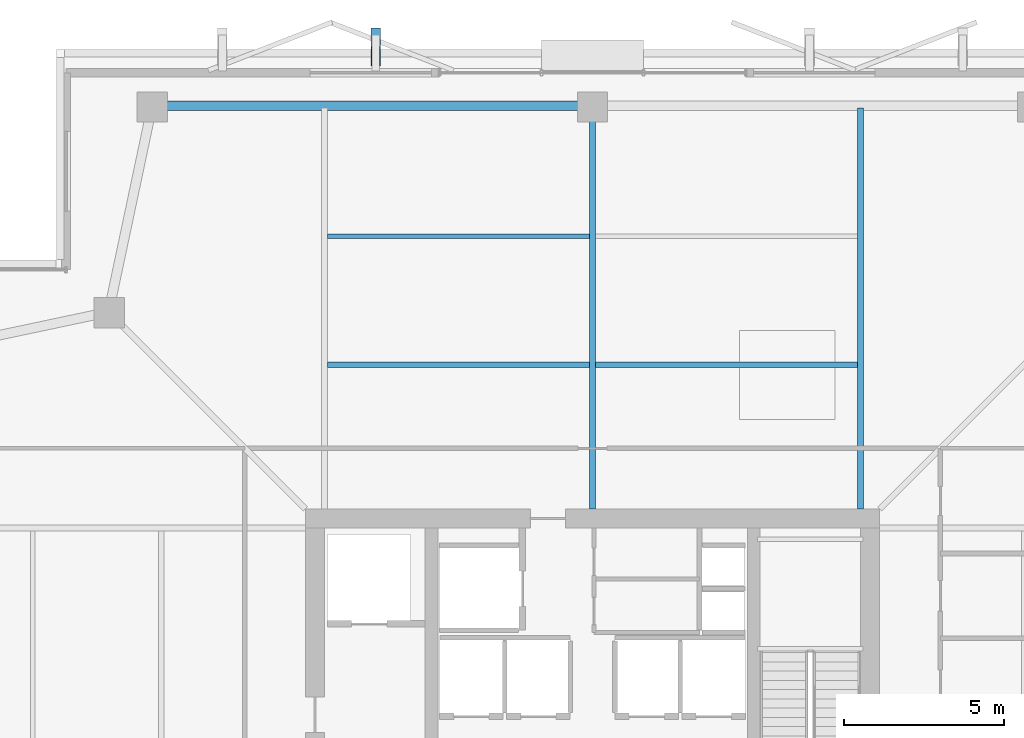
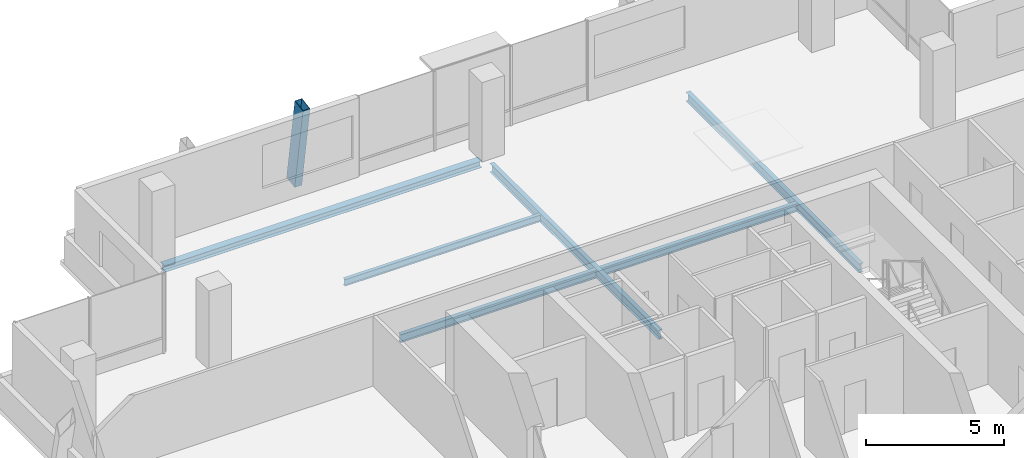
# One storey, part 15 of 26: 6 beams, 1 member.
"""IFC4 building model written with IfcOpenShell, lengths in metres."""

from ifc_helpers import new_model, si_unit, direction, frame, origin, origin_2d, place, context, subcontext, project, spatial, hollow_rectangle, i_section, extrude, material, material_profile, profile_set, type_object, element, save


model = new_model("IFC4")

# Units and contexts
model_context = context("Model", 3, precision=1e-05, world=origin(), true_north=direction((0.0, 1.0)))
body_context = subcontext(model_context, "Body", "Model", "MODEL_VIEW")
ifc_project = project(units=[si_unit("LENGTHUNIT", "METRE"), si_unit("AREAUNIT", "SQUARE_METRE"), si_unit("VOLUMEUNIT", "CUBIC_METRE"), si_unit("PLANEANGLEUNIT", "RADIAN"), si_unit("MASSUNIT", "GRAM", prefix="KILO")], contexts=[model_context])

# Site, building, storey
site_placement = place(None, origin())
site = spatial("IfcSite", under=ifc_project, at=site_placement, CompositionType="ELEMENT")
building_placement = place(site_placement, origin())
building = spatial("IfcBuilding", under=site, at=building_placement, Name="Belovzor Exchange Tower", CompositionType="ELEMENT")
storey_placement = place(building_placement, frame((0.0, 0.0, 295.5)))
storey = spatial("IfcBuildingStorey", under=building, at=storey_placement, Name="L73", CompositionType="ELEMENT", Elevation=295.5)

# Beams
ifc_material_1 = material(Name="Steel S355", Category="steel")
ifc_material_profile_1 = material_profile(ifc_material_1, i_section(OverallWidth=0.169921875, OverallDepth=0.360107421875, WebThickness=0.008056640625, FlangeThickness=0.0126953125, at=origin_2d()))
ifc_profile_set_1 = profile_set([ifc_material_profile_1], Name="Steel S355")
beam_type_1 = type_object("IfcBeamType", Name="Secondary Infill Floor Joist IPE 360", PredefinedType="BEAM", material=ifc_profile_set_1)
beam_1_placement = place(storey_placement, frame((20.489990234375, 42.322998046875, -0.419921875), z_axis=(1.0, 0.0, 0.0), x_axis=(0.0, 1.0, 0.0)))
element("IfcBeam", 1, at=beam_1_placement, inside=storey, type_object=beam_type_1, Name="FJ-360 Secondary Infill Floor Joist IPE 360", PredefinedType="BEAM", context=body_context, shape_type="SweptSolid", body=[
    extrude(i_section(OverallWidth=0.169921875, OverallDepth=0.360107421875, WebThickness=0.008056640625, FlangeThickness=0.0126953125, at=origin_2d()), origin(), (0.0, 0.0, 1.0), 8.219970703125),
])
beam_2_placement = place(storey_placement, frame((28.889892578125, 42.322998046875, -0.419921875), z_axis=(1.0, 0.0, 0.0), x_axis=(0.0, 1.0, 0.0)))
element("IfcBeam", 2, at=beam_2_placement, inside=storey, type_object=beam_type_1, Name="FJ-360 Secondary Infill Floor Joist IPE 360", PredefinedType="BEAM", context=body_context, shape_type="SweptSolid", body=[
    extrude(i_section(OverallWidth=0.169921875, OverallDepth=0.360107421875, WebThickness=0.008056640625, FlangeThickness=0.0126953125, at=origin_2d()), origin(), (0.0, 0.0, 1.0), 8.22021484375),
])
ifc_material_2 = material(Name="Steel S355", Category="steel")
ifc_material_profile_2 = material_profile(ifc_material_2, i_section(OverallWidth=0.14990234375, OverallDepth=0.300048828125, WebThickness=0.007080078125, FlangeThickness=0.0107421875, at=origin_2d()))
ifc_profile_set_2 = profile_set([ifc_material_profile_2], Name="Steel S355")
beam_type_2 = type_object("IfcBeamType", Name="Secondary Trim Floor Joist IPE 300", PredefinedType="BEAM", material=ifc_profile_set_2)
beam_3_placement = place(storey_placement, frame((20.489990234375, 46.343994140625, -0.389892578125), z_axis=(1.0, 0.0, 0.0), x_axis=(0.0, 1.0, 0.0)))
element("IfcBeam", 3, at=beam_3_placement, inside=storey, type_object=beam_type_2, Name="FJ-300 Secondary Trim Floor Joist IPE 300", PredefinedType="BEAM", context=body_context, shape_type="SweptSolid", body=[
    extrude(i_section(OverallWidth=0.14990234375, OverallDepth=0.300048828125, WebThickness=0.007080078125, FlangeThickness=0.0107421875, at=origin_2d()), origin(), (0.0, 0.0, 1.0), 8.219970703125),
])

# Member
ifc_material_3 = material(Name="Extruded Architectural Terracotta on Steel S355 Carrier", Category="masonry")
ifc_material_profile_3 = material_profile(ifc_material_3, hollow_rectangle(XDim=0.300048828125, YDim=0.60009765625, WallThickness=0.01611328125, at=origin_2d()))
ifc_profile_set_3 = profile_set([ifc_material_profile_3], Name="Extruded Architectural Terracotta on Steel S355 Carrier")
member_type = type_object("IfcMemberType", Name="Upper Crown Terracotta Fin Assembly 550", PredefinedType="USERDEFINED", material=ifc_profile_set_3)
member_placement = place(storey_placement, frame((22.0, 52.574951171875, -0.239990234375), z_axis=(0.0, -0.157952891656, 0.987446648694), x_axis=(1.0, 0.0, 0.0)))
element("IfcMember", 4, at=member_placement, inside=storey, type_object=member_type, Name="FIN-TC055 Terracotta Facade Fin L73 N2", ObjectType="FIN", PredefinedType="USERDEFINED", context=body_context, shape_type="SweptSolid", body=[
    extrude(hollow_rectangle(XDim=0.300048828125, YDim=0.60009765625, WallThickness=0.01611328125, at=origin_2d()), origin(), (0.0, 0.0, 1.0), 3.797607421875),
])

# Beams
ifc_material_4 = material(Name="Steel S355", Category="steel")
ifc_material_profile_4 = material_profile(ifc_material_4, i_section(OverallWidth=0.179931640625, OverallDepth=0.39990234375, WebThickness=0.008544921875, FlangeThickness=0.013427734375, at=origin_2d()))
ifc_profile_set_4 = profile_set([ifc_material_profile_4], Name="Steel S355")
beam_type_3 = type_object("IfcBeamType", Name="Zone 5-6 Radial Composite Floor Beam IPE 400", PredefinedType="BEAM", material=ifc_profile_set_4)
beam_4_placement = place(storey_placement, frame((28.800048828125, 37.800048828125, -0.43994140625), z_axis=(0.0, 1.0, 0.0), x_axis=(-1.0, 0.0, 0.0)))
element("IfcBeam", 5, at=beam_4_placement, inside=storey, type_object=beam_type_3, Name="FB-400 Zone 5-6 Radial Composite Floor Beam IPE 400", PredefinedType="BEAM", context=body_context, shape_type="SweptSolid", body=[
    extrude(i_section(OverallWidth=0.179931640625, OverallDepth=0.39990234375, WebThickness=0.008544921875, FlangeThickness=0.013427734375, at=origin_2d()), origin(), (0.0, 0.0, 1.0), 12.225830078125),
])
beam_5_placement = place(storey_placement, frame((37.199951171875, 37.800048828125, -0.43994140625), z_axis=(0.0, 1.0, 0.0), x_axis=(-1.0, 0.0, 0.0)))
element("IfcBeam", 6, at=beam_5_placement, inside=storey, type_object=beam_type_3, Name="FB-400 Zone 5-6 Radial Composite Floor Beam IPE 400", PredefinedType="BEAM", context=body_context, shape_type="SweptSolid", body=[
    extrude(i_section(OverallWidth=0.179931640625, OverallDepth=0.39990234375, WebThickness=0.008544921875, FlangeThickness=0.013427734375, at=origin_2d()), origin(), (0.0, 0.0, 1.0), 12.56396484375),
])
ifc_material_5 = material(Name="Steel S355", Category="steel")
ifc_material_profile_5 = material_profile(ifc_material_5, i_section(OverallWidth=0.300048828125, OverallDepth=0.300048828125, WebThickness=0.008544921875, FlangeThickness=0.013916015625, at=origin_2d()))
ifc_profile_set_5 = profile_set([ifc_material_profile_5], Name="Steel S355")
beam_type_4 = type_object("IfcBeamType", Name="Zone 6 Primary Girder HEA 300", PredefinedType="BEAM", material=ifc_profile_set_5)
beam_6_placement = place(storey_placement, frame((28.5390625, 50.43896484375, -0.389892578125), z_axis=(-1.0, 0.0, 0.0), x_axis=(0.0, -1.0, 0.0)))
element("IfcBeam", 7, at=beam_6_placement, inside=storey, type_object=beam_type_4, Name="FG-Z6 Zone 6 Primary Girder HEA 300", PredefinedType="BEAM", context=body_context, shape_type="SweptSolid", body=[
    extrude(i_section(OverallWidth=0.300048828125, OverallDepth=0.300048828125, WebThickness=0.008544921875, FlangeThickness=0.013916015625, at=origin_2d()), origin(), (0.0, 0.0, 1.0), 13.278076171875),
])

save(model, "model.ifc")
